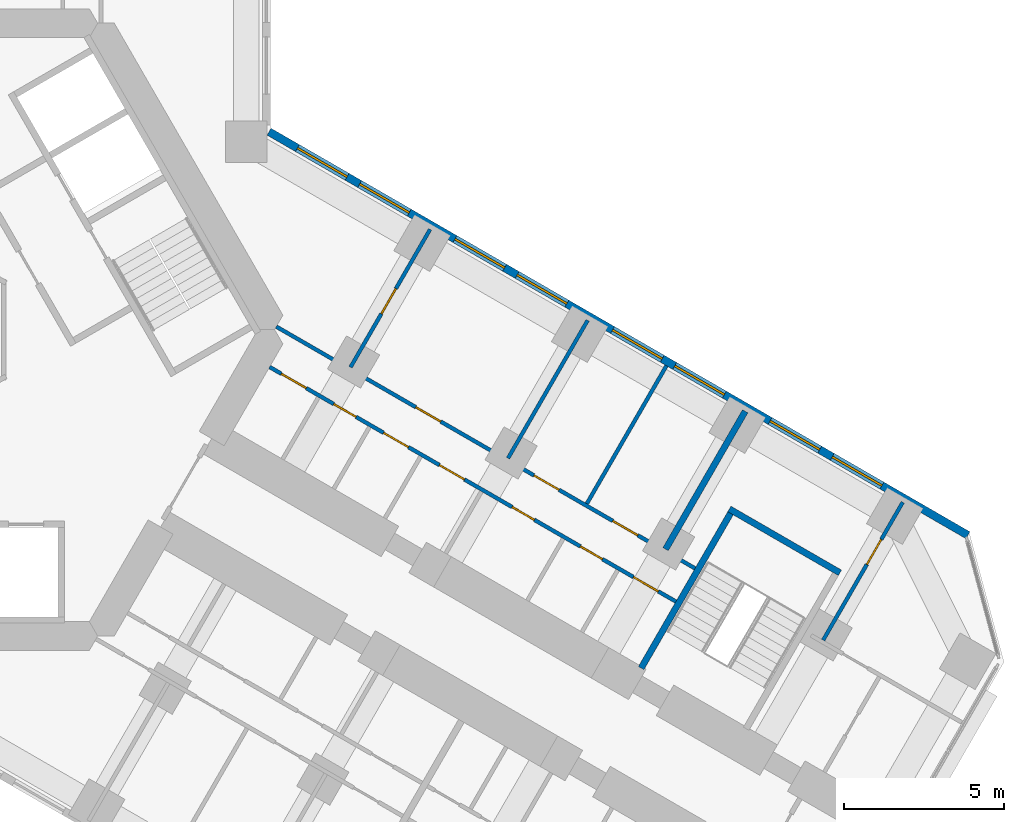
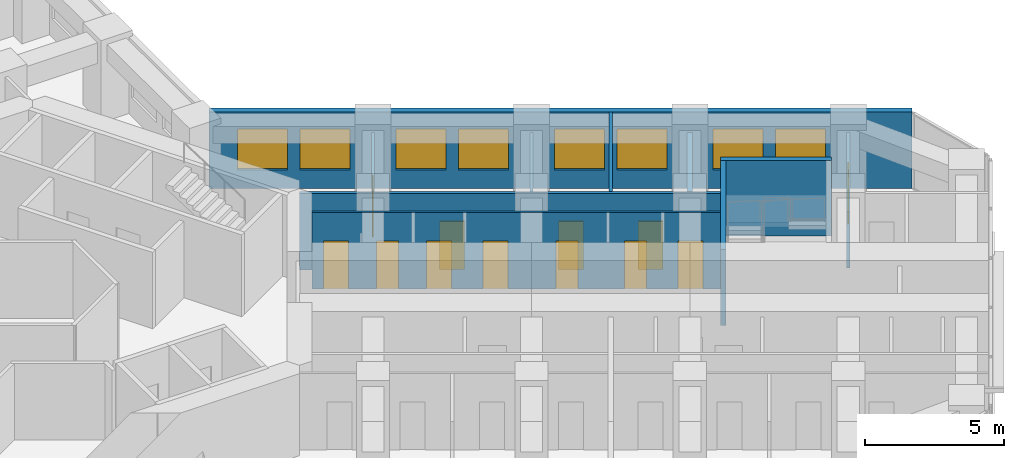
# One storey, part 16 of 19: 12 doors, 10 walls, 8 windows, 20 openings.
"""IFC4 building model written with IfcOpenShell, lengths in metres."""

from ifc_helpers import new_model, si_unit, direction, frame, frame_2d, origin, place, context, subcontext, project, spatial, rectangle, extrude, material, layer, layer_set, type_object, element, fill, save


model = new_model("IFC4")

# Units and contexts
model_context = context("Model", 3, precision=1e-05, world=origin(), true_north=direction((0.0, 1.0)))
body_context = subcontext(model_context, "Body", "Model", "MODEL_VIEW")
ifc_project = project(units=[si_unit("LENGTHUNIT", "METRE"), si_unit("AREAUNIT", "SQUARE_METRE"), si_unit("VOLUMEUNIT", "CUBIC_METRE"), si_unit("PLANEANGLEUNIT", "RADIAN"), si_unit("MASSUNIT", "GRAM", prefix="KILO")], contexts=[model_context])

# Site, building, storey
site_placement = place(None, origin())
site = spatial("IfcSite", under=ifc_project, at=site_placement, CompositionType="ELEMENT")
building_placement = place(site_placement, origin())
building = spatial("IfcBuilding", under=site, at=building_placement, Name="Kosmar Iwan School Tower", CompositionType="ELEMENT")
storey_placement = place(building_placement, frame((0.0, 0.0, 120.199951171875)))
storey = spatial("IfcBuildingStorey", under=building, at=storey_placement, Name="L29", CompositionType="ELEMENT", Elevation=120.199951171875)

# Wall, openings, doors
ifc_material_1 = material(Name="Gypsum board on steel studs", Category="steel")
ifc_layer_1 = layer(ifc_material_1, 0.1201171875)
ifc_layer_set_1 = layer_set([ifc_layer_1], Name="Dwelling partition 120")
wall_type_1 = type_object("IfcWallType", Name="Dwelling partition 120", PredefinedType="PARTITIONING", material=ifc_layer_set_1)
wall_1_placement = place(storey_placement, frame((10.928466796875, -1.171142578125, 0.0), z_axis=(0.0, 0.0, 1.0), x_axis=(0.866024898848, -0.500000874575, 0.0)))
wall_1 = element("IfcWall", 1, at=wall_1_placement, inside=storey, type_object=wall_type_1, Name="Partition L29-CL1-W1", PredefinedType="PARTITIONING", context=body_context, shape_type="SweptSolid", body=[
    extrude(rectangle(XDim=14.7001953125, YDim=0.1201171875, at=frame_2d((7.35009765625, 0.0))), origin(), (0.0, 0.0, 1.0), 3.35009765625),
])
opening_1_placement = place(wall_1_placement, frame((0.425048828125, 0.0, 0.0)))
opening_1 = element("IfcOpeningElement", 2, at=opening_1_placement, cuts=wall_1, Name="Opening D2", PredefinedType="OPENING", context=body_context, shape_type="SweptSolid", body=[
    extrude(rectangle(XDim=0.89990234375, YDim=2.10009765625, at=frame_2d((0.449951171875, 1.050048828125))), frame((0.0, 0.072021484375, 0.0), z_axis=(0.0, -1.0, 0.0), x_axis=(1.0, 0.0, 0.0)), (0.0, 0.0, 1.0), 0.14404296875),
])
opening_2_placement = place(wall_1_placement, frame((2.324951171875, 0.0, 0.0)))
opening_2 = element("IfcOpeningElement", 3, at=opening_2_placement, cuts=wall_1, Name="Opening D3", PredefinedType="OPENING", context=body_context, shape_type="SweptSolid", body=[
    extrude(rectangle(XDim=0.800048828125, YDim=2.10009765625, at=frame_2d((0.39990234375, 1.050048828125))), frame((0.0, 0.072021484375, 0.0), z_axis=(0.0, -1.0, 0.0), x_axis=(1.0, 0.0, 0.0)), (0.0, 0.0, 1.0), 0.14404296875),
])
opening_3_placement = place(wall_1_placement, frame((4.125, 0.0, 0.0)))
opening_3 = element("IfcOpeningElement", 4, at=opening_3_placement, cuts=wall_1, Name="Opening D2", PredefinedType="OPENING", context=body_context, shape_type="SweptSolid", body=[
    extrude(rectangle(XDim=0.89990234375, YDim=2.10009765625, at=frame_2d((0.449951171875, 1.050048828125))), frame((0.0, 0.072021484375, 0.0), z_axis=(0.0, -1.0, 0.0), x_axis=(1.0, 0.0, 0.0)), (0.0, 0.0, 1.0), 0.14404296875),
])
opening_4_placement = place(wall_1_placement, frame((6.14990234375, 0.0, 0.0)))
opening_4 = element("IfcOpeningElement", 5, at=opening_4_placement, cuts=wall_1, Name="Opening D2", PredefinedType="OPENING", context=body_context, shape_type="SweptSolid", body=[
    extrude(rectangle(XDim=0.89990234375, YDim=2.10009765625, at=frame_2d((0.449951171875, 1.050048828125))), frame((0.0, 0.072021484375, 0.0), z_axis=(0.0, -1.0, 0.0), x_axis=(1.0, 0.0, 0.0)), (0.0, 0.0, 1.0), 0.14404296875),
])
opening_5_placement = place(wall_1_placement, frame((8.778564453125, 0.0, 0.0)))
opening_5 = element("IfcOpeningElement", 6, at=opening_5_placement, cuts=wall_1, Name="Opening D3", PredefinedType="OPENING", context=body_context, shape_type="SweptSolid", body=[
    extrude(rectangle(XDim=0.800048828125, YDim=2.10009765625, at=frame_2d((0.39990234375, 1.050048828125))), frame((0.0, 0.072021484375, 0.0), z_axis=(0.0, -1.0, 0.0), x_axis=(1.0, 0.0, 0.0)), (0.0, 0.0, 1.0), 0.14404296875),
])
opening_6_placement = place(wall_1_placement, frame((11.242919921875, 0.0, 0.0)))
opening_6 = element("IfcOpeningElement", 7, at=opening_6_placement, cuts=wall_1, Name="Opening D3", PredefinedType="OPENING", context=body_context, shape_type="SweptSolid", body=[
    extrude(rectangle(XDim=0.800048828125, YDim=2.10009765625, at=frame_2d((0.39990234375, 1.050048828125))), frame((0.0, 0.072021484375, 0.0), z_axis=(0.0, -1.0, 0.0), x_axis=(1.0, 0.0, 0.0)), (0.0, 0.0, 1.0), 0.14404296875),
])
opening_7_placement = place(wall_1_placement, frame((13.164306640625, 0.0, 0.0)))
opening_7 = element("IfcOpeningElement", 8, at=opening_7_placement, cuts=wall_1, Name="Opening D2", PredefinedType="OPENING", context=body_context, shape_type="SweptSolid", body=[
    extrude(rectangle(XDim=0.89990234375, YDim=2.10009765625, at=frame_2d((0.449951171875, 1.050048828125))), frame((0.0, 0.072021484375, 0.0), z_axis=(0.0, -1.0, 0.0), x_axis=(1.0, 0.0, 0.0)), (0.0, 0.0, 1.0), 0.14404296875),
])
ifc_material_2 = material(Name="Timber door in timber frame", Category="wood")
door_type_1 = type_object("IfcDoorType", Name="Internal door 900x2100", OperationType="SINGLE_SWING_LEFT", PredefinedType="DOOR", material=ifc_material_2)
door_1_placement = place(opening_1_placement, origin())
door_1 = element("IfcDoor", 9, at=door_1_placement, inside=storey, type_object=door_type_1, Name="Dressing room door L29-CL1-S1", OperationType="SINGLE_SWING_LEFT", OverallHeight=2.10009765625, OverallWidth=0.89990234375, PredefinedType="DOOR", context=body_context, shape_type="SweptSolid", body=[
    extrude(rectangle(XDim=0.89990234375, YDim=2.10009765625, at=frame_2d((0.449951171875, 1.050048828125))), frame((0.0, 0.02490234375, 0.0), z_axis=(0.0, -1.0, 0.0), x_axis=(1.0, 0.0, 0.0)), (0.0, 0.0, 1.0), 0.050048828125),
])
fill(opening_1, door_1)
door_2_placement = place(opening_3_placement, origin())
door_2 = element("IfcDoor", 10, at=door_2_placement, inside=storey, type_object=door_type_1, Name="Pantry door L29-CL1-S3", OperationType="SINGLE_SWING_LEFT", OverallHeight=2.10009765625, OverallWidth=0.89990234375, PredefinedType="DOOR", context=body_context, shape_type="SweptSolid", body=[
    extrude(rectangle(XDim=0.89990234375, YDim=2.10009765625, at=frame_2d((0.449951171875, 1.050048828125))), frame((0.0, 0.02490234375, 0.0), z_axis=(0.0, -1.0, 0.0), x_axis=(1.0, 0.0, 0.0)), (0.0, 0.0, 1.0), 0.050048828125),
])
fill(opening_3, door_2)
door_3_placement = place(opening_4_placement, origin())
door_3 = element("IfcDoor", 11, at=door_3_placement, inside=storey, type_object=door_type_1, Name="Entrance hall door L29-CL1-S4", OperationType="SINGLE_SWING_LEFT", OverallHeight=2.10009765625, OverallWidth=0.89990234375, PredefinedType="DOOR", context=body_context, shape_type="SweptSolid", body=[
    extrude(rectangle(XDim=0.89990234375, YDim=2.10009765625, at=frame_2d((0.449951171875, 1.050048828125))), frame((0.0, 0.02490234375, 0.0), z_axis=(0.0, -1.0, 0.0), x_axis=(1.0, 0.0, 0.0)), (0.0, 0.0, 1.0), 0.050048828125),
])
fill(opening_4, door_3)
door_4_placement = place(opening_7_placement, frame((0.89990234375, 0.0, 0.0), z_axis=(0.0, 0.0, 1.0), x_axis=(-1.0, 0.0, 0.0)))
door_4 = element("IfcDoor", 12, at=door_4_placement, inside=storey, type_object=door_type_1, Name="Utility room door L29-CL1-S7", OperationType="SINGLE_SWING_LEFT", OverallHeight=2.10009765625, OverallWidth=0.89990234375, PredefinedType="DOOR", context=body_context, shape_type="SweptSolid", body=[
    extrude(rectangle(XDim=0.89990234375, YDim=2.10009765625, at=frame_2d((0.449951171875, 1.050048828125))), frame((0.0, 0.02490234375, 0.0), z_axis=(0.0, -1.0, 0.0), x_axis=(1.0, 0.0, 0.0)), (0.0, 0.0, 1.0), 0.050048828125),
])
fill(opening_7, door_4)
ifc_material_3 = material(Name="Timber door in timber frame", Category="wood")
door_type_2 = type_object("IfcDoorType", Name="Sanitary room door 800x2100", OperationType="SINGLE_SWING_LEFT", PredefinedType="DOOR", material=ifc_material_3)
door_5_placement = place(opening_2_placement, origin())
door_5 = element("IfcDoor", 13, at=door_5_placement, inside=storey, type_object=door_type_2, Name="Store door L29-CL1-S2", OperationType="SINGLE_SWING_LEFT", OverallHeight=2.10009765625, OverallWidth=0.800048828125, PredefinedType="DOOR", context=body_context, shape_type="SweptSolid", body=[
    extrude(rectangle(XDim=0.800048828125, YDim=2.10009765625, at=frame_2d((0.39990234375, 1.050048828125))), frame((0.0, 0.02490234375, 0.0), z_axis=(0.0, -1.0, 0.0), x_axis=(1.0, 0.0, 0.0)), (0.0, 0.0, 1.0), 0.050048828125),
])
fill(opening_2, door_5)
door_6_placement = place(opening_5_placement, origin())
door_6 = element("IfcDoor", 14, at=door_6_placement, inside=storey, type_object=door_type_2, Name="Bathroom door L29-CL1-S5", OperationType="SINGLE_SWING_RIGHT", OverallHeight=2.10009765625, OverallWidth=0.800048828125, PredefinedType="DOOR", context=body_context, shape_type="SweptSolid", body=[
    extrude(rectangle(XDim=0.800048828125, YDim=2.10009765625, at=frame_2d((0.39990234375, 1.050048828125))), frame((0.0, 0.02490234375, 0.0), z_axis=(0.0, -1.0, 0.0), x_axis=(1.0, 0.0, 0.0)), (0.0, 0.0, 1.0), 0.050048828125),
])
fill(opening_5, door_6)
door_7_placement = place(opening_6_placement, origin())
door_7 = element("IfcDoor", 15, at=door_7_placement, inside=storey, type_object=door_type_2, Name="WC door L29-CL1-S6", OperationType="SINGLE_SWING_RIGHT", OverallHeight=2.10009765625, OverallWidth=0.800048828125, PredefinedType="DOOR", context=body_context, shape_type="SweptSolid", body=[
    extrude(rectangle(XDim=0.800048828125, YDim=2.10009765625, at=frame_2d((0.39990234375, 1.050048828125))), frame((0.0, 0.02490234375, 0.0), z_axis=(0.0, -1.0, 0.0), x_axis=(1.0, 0.0, 0.0)), (0.0, 0.0, 1.0), 0.050048828125),
])
fill(opening_6, door_7)

wall_2_placement = place(storey_placement, frame((11.138916015625, 0.093017578125, 0.0), z_axis=(0.0, 0.0, 1.0), x_axis=(0.866024032363, -0.500002375365, 0.0)))
wall_2 = element("IfcWall", 16, at=wall_2_placement, inside=storey, type_object=wall_type_1, Name="Partition L29-CL1-W2", PredefinedType="PARTITIONING", context=body_context, shape_type="SweptSolid", body=[
    extrude(rectangle(XDim=15.14990234375, YDim=0.1201171875, at=frame_2d((7.574951171875, 0.0))), origin(), (0.0, 0.0, 1.0), 3.35009765625),
])
opening_8_placement = place(wall_2_placement, frame((5.050048828125, 0.0, 0.0)))
opening_8 = element("IfcOpeningElement", 17, at=opening_8_placement, cuts=wall_2, Name="Opening D2", PredefinedType="OPENING", context=body_context, shape_type="SweptSolid", body=[
    extrude(rectangle(XDim=0.89990234375, YDim=2.10009765625, at=frame_2d((0.449951171875, 1.050048828125))), frame((0.0, 0.072021484375, 0.0), z_axis=(0.0, -1.0, 0.0), x_axis=(1.0, 0.0, 0.0)), (0.0, 0.0, 1.0), 0.14404296875),
])
opening_9_placement = place(wall_2_placement, frame((9.324951171875, 0.0, 0.0)))
opening_9 = element("IfcOpeningElement", 18, at=opening_9_placement, cuts=wall_2, Name="Opening D2", PredefinedType="OPENING", context=body_context, shape_type="SweptSolid", body=[
    extrude(rectangle(XDim=0.89990234375, YDim=2.10009765625, at=frame_2d((0.449951171875, 1.050048828125))), frame((0.0, 0.072021484375, 0.0), z_axis=(0.0, -1.0, 0.0), x_axis=(1.0, 0.0, 0.0)), (0.0, 0.0, 1.0), 0.14404296875),
])
opening_10_placement = place(wall_2_placement, frame((12.175048828125, 0.0, 0.0)))
opening_10 = element("IfcOpeningElement", 19, at=opening_10_placement, cuts=wall_2, Name="Opening D2", PredefinedType="OPENING", context=body_context, shape_type="SweptSolid", body=[
    extrude(rectangle(XDim=0.89990234375, YDim=2.10009765625, at=frame_2d((0.449951171875, 1.050048828125))), frame((0.0, 0.072021484375, 0.0), z_axis=(0.0, -1.0, 0.0), x_axis=(1.0, 0.0, 0.0)), (0.0, 0.0, 1.0), 0.14404296875),
])
door_8_placement = place(opening_8_placement, origin())
door_8 = element("IfcDoor", 20, at=door_8_placement, inside=storey, type_object=door_type_1, Name="Living room door L29-CL1-F2", OperationType="SINGLE_SWING_RIGHT", OverallHeight=2.10009765625, OverallWidth=0.89990234375, PredefinedType="DOOR", context=body_context, shape_type="SweptSolid", body=[
    extrude(rectangle(XDim=0.89990234375, YDim=2.10009765625, at=frame_2d((0.449951171875, 1.050048828125))), frame((0.0, 0.02490234375, 0.0), z_axis=(0.0, -1.0, 0.0), x_axis=(1.0, 0.0, 0.0)), (0.0, 0.0, 1.0), 0.050048828125),
])
fill(opening_8, door_8)
door_9_placement = place(opening_9_placement, origin())
door_9 = element("IfcDoor", 21, at=door_9_placement, inside=storey, type_object=door_type_1, Name="Bedroom 1 door L29-CL1-F3", OperationType="SINGLE_SWING_LEFT", OverallHeight=2.10009765625, OverallWidth=0.89990234375, PredefinedType="DOOR", context=body_context, shape_type="SweptSolid", body=[
    extrude(rectangle(XDim=0.89990234375, YDim=2.10009765625, at=frame_2d((0.449951171875, 1.050048828125))), frame((0.0, 0.02490234375, 0.0), z_axis=(0.0, -1.0, 0.0), x_axis=(1.0, 0.0, 0.0)), (0.0, 0.0, 1.0), 0.050048828125),
])
fill(opening_9, door_9)
door_10_placement = place(opening_10_placement, origin())
door_10 = element("IfcDoor", 22, at=door_10_placement, inside=storey, type_object=door_type_1, Name="Study door L29-CL1-F4", OperationType="SINGLE_SWING_RIGHT", OverallHeight=2.10009765625, OverallWidth=0.89990234375, PredefinedType="DOOR", context=body_context, shape_type="SweptSolid", body=[
    extrude(rectangle(XDim=0.89990234375, YDim=2.10009765625, at=frame_2d((0.449951171875, 1.050048828125))), frame((0.0, 0.02490234375, 0.0), z_axis=(0.0, -1.0, 0.0), x_axis=(1.0, 0.0, 0.0)), (0.0, 0.0, 1.0), 0.050048828125),
])
fill(opening_10, door_10)

# Wall, opening, door
wall_3_placement = place(storey_placement, frame((13.4638671875, -1.179931640625, 0.0), z_axis=(0.0, 0.0, 1.0), x_axis=(0.499996339024, 0.86602751744, 0.0)))
wall_3 = element("IfcWall", 23, at=wall_3_placement, inside=storey, type_object=wall_type_1, Name="Partition L29-CL1-X1", PredefinedType="PARTITIONING", context=body_context, shape_type="SweptSolid", body=[
    extrude(rectangle(XDim=4.98974609375, YDim=0.1201171875, at=frame_2d((2.494873046875, 0.0))), origin(), (0.0, 0.0, 1.0), 2.449951171875),
])
opening_11_placement = place(wall_3_placement, frame((1.93994140625, 0.0, 0.0)))
opening_11 = element("IfcOpeningElement", 24, at=opening_11_placement, cuts=wall_3, Name="Opening D2", PredefinedType="OPENING", context=body_context, shape_type="SweptSolid", body=[
    extrude(rectangle(XDim=0.89990234375, YDim=2.10009765625, at=frame_2d((0.449951171875, 1.050048828125))), frame((0.0, 0.072021484375, 0.0), z_axis=(0.0, -1.0, 0.0), x_axis=(1.0, 0.0, 0.0)), (0.0, 0.0, 1.0), 0.14404296875),
])
door_11_placement = place(opening_11_placement, origin())
door_11 = element("IfcDoor", 25, at=door_11_placement, inside=storey, type_object=door_type_1, Name="Kitchen and dining room door L29-CL1-F1", OperationType="SINGLE_SWING_LEFT", OverallHeight=2.10009765625, OverallWidth=0.89990234375, PredefinedType="DOOR", context=body_context, shape_type="SweptSolid", body=[
    extrude(rectangle(XDim=0.89990234375, YDim=2.10009765625, at=frame_2d((0.449951171875, 1.050048828125))), frame((0.0, 0.02490234375, 0.0), z_axis=(0.0, -1.0, 0.0), x_axis=(1.0, 0.0, 0.0)), (0.0, 0.0, 1.0), 0.050048828125),
])
fill(opening_11, door_11)

# Walls
wall_4_placement = place(storey_placement, frame((18.400146484375, -4.030029296875, 0.0), z_axis=(0.0, 0.0, 1.0), x_axis=(0.500011847778, 0.866018563358, 0.0)))
element("IfcWall", 26, at=wall_4_placement, inside=storey, type_object=wall_type_1, Name="Partition L29-CL1-X2", PredefinedType="PARTITIONING", context=body_context, shape_type="SweptSolid", body=[
    extrude(rectangle(XDim=4.990234375, YDim=0.1201171875, at=frame_2d((2.4951171875, 0.0))), origin(), (0.0, 0.0, 1.0), 2.449951171875),
])
wall_5_placement = place(storey_placement, frame((20.868408203125, -5.455078125, 0.0), z_axis=(0.0, 0.0, 1.0), x_axis=(0.499975153383, 0.86603974851, 0.0)))
element("IfcWall", 27, at=wall_5_placement, inside=storey, type_object=wall_type_1, Name="Partition L29-CL1-X3", PredefinedType="PARTITIONING", context=body_context, shape_type="SweptSolid", body=[
    extrude(rectangle(XDim=4.989990234375, YDim=0.1201171875, at=frame_2d((2.4951171875, 0.0))), origin(), (0.0, 0.0, 1.0), 3.35009765625),
])

# Wall, opening, door
wall_6_placement = place(storey_placement, frame((28.27294921875, -9.72998046875, 0.0), z_axis=(0.0, 0.0, 1.0), x_axis=(0.499975153383, 0.86603974851, 0.0)))
wall_6 = element("IfcWall", 28, at=wall_6_placement, inside=storey, type_object=wall_type_1, Name="Partition L29-CL2-TX", PredefinedType="PARTITIONING", context=body_context, shape_type="SweptSolid", body=[
    extrude(rectangle(XDim=4.989990234375, YDim=0.1201171875, at=frame_2d((2.4951171875, 0.0))), origin(), (0.0, 0.0, 1.0), 2.449951171875),
])
opening_12_placement = place(wall_6_placement, frame((2.739990234375, 0.0, 0.0)))
opening_12 = element("IfcOpeningElement", 29, at=opening_12_placement, cuts=wall_6, Name="Opening D2", PredefinedType="OPENING", context=body_context, shape_type="SweptSolid", body=[
    extrude(rectangle(XDim=0.89990234375, YDim=2.10009765625, at=frame_2d((0.449951171875, 1.050048828125))), frame((0.0, 0.072021484375, 0.0), z_axis=(0.0, -1.0, 0.0), x_axis=(1.0, 0.0, 0.0)), (0.0, 0.0, 1.0), 0.14404296875),
])
door_12_placement = place(opening_12_placement, origin())
door_12 = element("IfcDoor", 30, at=door_12_placement, inside=storey, type_object=door_type_1, Name="Bedroom 1 door L29-CL2-T1", OperationType="SINGLE_SWING_RIGHT", OverallHeight=2.10009765625, OverallWidth=0.89990234375, PredefinedType="DOOR", context=body_context, shape_type="SweptSolid", body=[
    extrude(rectangle(XDim=0.89990234375, YDim=2.10009765625, at=frame_2d((0.449951171875, 1.050048828125))), frame((0.0, 0.02490234375, 0.0), z_axis=(0.0, -1.0, 0.0), x_axis=(1.0, 0.0, 0.0)), (0.0, 0.0, 1.0), 0.050048828125),
])
fill(opening_12, door_12)

# Walls
ifc_material_4 = material(Name="Concrete C35/45", Category="concrete")
ifc_layer_2 = layer(ifc_material_4, 0.199951171875)
ifc_layer_set_2 = layer_set([ifc_layer_2], Name="Escape stair wall 200")
wall_type_2 = type_object("IfcWallType", Name="Escape stair wall 200", PredefinedType="SHEAR", material=ifc_layer_set_2)
wall_7_placement = place(storey_placement, frame((22.57080078125, -10.6064453125, 0.0), z_axis=(0.0, 0.0, 1.0), x_axis=(0.499987231761, 0.866032775405, 0.0)))
element("IfcWall", 31, at=wall_7_placement, inside=storey, type_object=wall_type_2, Name="Stair WS3 wall", PredefinedType="SHEAR", context=body_context, shape_type="SweptSolid", body=[
    extrude(rectangle(XDim=5.800048828125, YDim=0.199951171875, at=frame_2d((2.89990234375, 0.0))), origin(), (0.0, 0.0, 1.0), 3.330078125),
])
wall_8_placement = place(storey_placement, frame((25.334228515625, -5.6201171875, 0.0), z_axis=(0.0, 0.0, 1.0), x_axis=(0.866026010844, -0.49999894854, 0.0)))
element("IfcWall", 32, at=wall_8_placement, inside=storey, type_object=wall_type_2, Name="Stair WS3 wall", PredefinedType="SHEAR", context=body_context, shape_type="SweptSolid", body=[
    extrude(rectangle(XDim=4.0, YDim=0.199951171875, at=frame_2d((2.0, 0.0))), origin(), (0.0, 0.0, 1.0), 3.330078125),
])

# Wall, openings, windows
ifc_material_5 = material(Name="Black aluminium rainscreen on insulated framing", Category="aluminium")
ifc_layer_3 = layer(ifc_material_5, 0.25)
ifc_layer_set_3 = layer_set([ifc_layer_3], Name="External wall rainscreen 250")
wall_type_3 = type_object("IfcWallType", Name="External wall rainscreen 250", PredefinedType="SOLIDWALL", material=ifc_layer_set_3)
wall_9_placement = place(storey_placement, frame((10.91259765625, 6.19921875, 0.0), z_axis=(0.0, 0.0, 1.0), x_axis=(0.866027685155, -0.49999604853, 0.0)))
wall_9 = element("IfcWall", 33, at=wall_9_placement, inside=storey, type_object=wall_type_3, Name="External wall CL L29", PredefinedType="SOLIDWALL", context=body_context, shape_type="SweptSolid", body=[
    extrude(rectangle(XDim=25.284423828125, YDim=0.25, at=frame_2d((12.64208984375, 0.0))), origin(), (0.0, 0.0, 1.0), 3.35009765625),
])
opening_13_placement = place(wall_9_placement, frame((1.024169921875, 0.0, 0.800048828125)))
opening_13 = element("IfcOpeningElement", 34, at=opening_13_placement, cuts=wall_9, Name="Opening W1", PredefinedType="OPENING", context=body_context, shape_type="SweptSolid", body=[
    extrude(rectangle(XDim=1.800048828125, YDim=1.800048828125, at=frame_2d((0.89990234375, 0.89990234375))), frame((0.0, 0.136962890625, 0.0), z_axis=(0.0, -1.0, 0.0), x_axis=(1.0, 0.0, 0.0)), (0.0, 0.0, 1.0), 0.27392578125),
])
opening_14_placement = place(wall_9_placement, frame((3.274169921875, 0.0, 0.800048828125)))
opening_14 = element("IfcOpeningElement", 35, at=opening_14_placement, cuts=wall_9, Name="Opening W1", PredefinedType="OPENING", context=body_context, shape_type="SweptSolid", body=[
    extrude(rectangle(XDim=1.800048828125, YDim=1.800048828125, at=frame_2d((0.89990234375, 0.89990234375))), frame((0.0, 0.136962890625, 0.0), z_axis=(0.0, -1.0, 0.0), x_axis=(1.0, 0.0, 0.0)), (0.0, 0.0, 1.0), 0.27392578125),
])
opening_15_placement = place(wall_9_placement, frame((6.72412109375, 0.0, 0.800048828125)))
opening_15 = element("IfcOpeningElement", 36, at=opening_15_placement, cuts=wall_9, Name="Opening W1", PredefinedType="OPENING", context=body_context, shape_type="SweptSolid", body=[
    extrude(rectangle(XDim=1.800048828125, YDim=1.800048828125, at=frame_2d((0.89990234375, 0.89990234375))), frame((0.0, 0.136962890625, 0.0), z_axis=(0.0, -1.0, 0.0), x_axis=(1.0, 0.0, 0.0)), (0.0, 0.0, 1.0), 0.27392578125),
])
opening_16_placement = place(wall_9_placement, frame((8.97412109375, 0.0, 0.800048828125)))
opening_16 = element("IfcOpeningElement", 37, at=opening_16_placement, cuts=wall_9, Name="Opening W1", PredefinedType="OPENING", context=body_context, shape_type="SweptSolid", body=[
    extrude(rectangle(XDim=1.800048828125, YDim=1.800048828125, at=frame_2d((0.89990234375, 0.89990234375))), frame((0.0, 0.136962890625, 0.0), z_axis=(0.0, -1.0, 0.0), x_axis=(1.0, 0.0, 0.0)), (0.0, 0.0, 1.0), 0.27392578125),
])
opening_17_placement = place(wall_9_placement, frame((12.424072265625, 0.0, 0.800048828125)))
opening_17 = element("IfcOpeningElement", 38, at=opening_17_placement, cuts=wall_9, Name="Opening W1", PredefinedType="OPENING", context=body_context, shape_type="SweptSolid", body=[
    extrude(rectangle(XDim=1.800048828125, YDim=1.800048828125, at=frame_2d((0.89990234375, 0.89990234375))), frame((0.0, 0.136962890625, 0.0), z_axis=(0.0, -1.0, 0.0), x_axis=(1.0, 0.0, 0.0)), (0.0, 0.0, 1.0), 0.27392578125),
])
opening_18_placement = place(wall_9_placement, frame((14.674072265625, 0.0, 0.800048828125)))
opening_18 = element("IfcOpeningElement", 39, at=opening_18_placement, cuts=wall_9, Name="Opening W1", PredefinedType="OPENING", context=body_context, shape_type="SweptSolid", body=[
    extrude(rectangle(XDim=1.800048828125, YDim=1.800048828125, at=frame_2d((0.89990234375, 0.89990234375))), frame((0.0, 0.136962890625, 0.0), z_axis=(0.0, -1.0, 0.0), x_axis=(1.0, 0.0, 0.0)), (0.0, 0.0, 1.0), 0.27392578125),
])
opening_19_placement = place(wall_9_placement, frame((18.124267578125, 0.0, 0.800048828125)))
opening_19 = element("IfcOpeningElement", 40, at=opening_19_placement, cuts=wall_9, Name="Opening W1", PredefinedType="OPENING", context=body_context, shape_type="SweptSolid", body=[
    extrude(rectangle(XDim=1.800048828125, YDim=1.800048828125, at=frame_2d((0.89990234375, 0.89990234375))), frame((0.0, 0.136962890625, 0.0), z_axis=(0.0, -1.0, 0.0), x_axis=(1.0, 0.0, 0.0)), (0.0, 0.0, 1.0), 0.27392578125),
])
opening_20_placement = place(wall_9_placement, frame((20.374267578125, 0.0, 0.800048828125)))
opening_20 = element("IfcOpeningElement", 41, at=opening_20_placement, cuts=wall_9, Name="Opening W1", PredefinedType="OPENING", context=body_context, shape_type="SweptSolid", body=[
    extrude(rectangle(XDim=1.800048828125, YDim=1.800048828125, at=frame_2d((0.89990234375, 0.89990234375))), frame((0.0, 0.136962890625, 0.0), z_axis=(0.0, -1.0, 0.0), x_axis=(1.0, 0.0, 0.0)), (0.0, 0.0, 1.0), 0.27392578125),
])
ifc_material_6 = material(Name="Black aluminium frame with dark triple glazing", Category="aluminium")
window_type = type_object("IfcWindowType", Name="Window 1800x1800", PartitioningType="SINGLE_PANEL", PredefinedType="WINDOW", material=ifc_material_6)
window_1_placement = place(opening_13_placement, origin())
window_1 = element("IfcWindow", 42, at=window_1_placement, inside=storey, type_object=window_type, Name="Window CL L29 -1", OverallHeight=1.800048828125, OverallWidth=1.800048828125, PartitioningType="SINGLE_PANEL", PredefinedType="WINDOW", context=body_context, shape_type="SweptSolid", body=[
    extrude(rectangle(XDim=1.800048828125, YDim=1.800048828125, at=frame_2d((0.89990234375, 0.89990234375))), frame((0.0, 0.030029296875, 0.0), z_axis=(0.0, -1.0, 0.0), x_axis=(1.0, 0.0, 0.0)), (0.0, 0.0, 1.0), 0.06005859375),
])
fill(opening_13, window_1)
window_2_placement = place(opening_14_placement, origin())
window_2 = element("IfcWindow", 43, at=window_2_placement, inside=storey, type_object=window_type, Name="Window CL L29 0", OverallHeight=1.800048828125, OverallWidth=1.800048828125, PartitioningType="SINGLE_PANEL", PredefinedType="WINDOW", context=body_context, shape_type="SweptSolid", body=[
    extrude(rectangle(XDim=1.800048828125, YDim=1.800048828125, at=frame_2d((0.89990234375, 0.89990234375))), frame((0.0, 0.030029296875, 0.0), z_axis=(0.0, -1.0, 0.0), x_axis=(1.0, 0.0, 0.0)), (0.0, 0.0, 1.0), 0.06005859375),
])
fill(opening_14, window_2)
window_3_placement = place(opening_15_placement, origin())
window_3 = element("IfcWindow", 44, at=window_3_placement, inside=storey, type_object=window_type, Name="Window CL L29 1", OverallHeight=1.800048828125, OverallWidth=1.800048828125, PartitioningType="SINGLE_PANEL", PredefinedType="WINDOW", context=body_context, shape_type="SweptSolid", body=[
    extrude(rectangle(XDim=1.800048828125, YDim=1.800048828125, at=frame_2d((0.89990234375, 0.89990234375))), frame((0.0, 0.030029296875, 0.0), z_axis=(0.0, -1.0, 0.0), x_axis=(1.0, 0.0, 0.0)), (0.0, 0.0, 1.0), 0.06005859375),
])
fill(opening_15, window_3)
window_4_placement = place(opening_16_placement, origin())
window_4 = element("IfcWindow", 45, at=window_4_placement, inside=storey, type_object=window_type, Name="Window CL L29 2", OverallHeight=1.800048828125, OverallWidth=1.800048828125, PartitioningType="SINGLE_PANEL", PredefinedType="WINDOW", context=body_context, shape_type="SweptSolid", body=[
    extrude(rectangle(XDim=1.800048828125, YDim=1.800048828125, at=frame_2d((0.89990234375, 0.89990234375))), frame((0.0, 0.030029296875, 0.0), z_axis=(0.0, -1.0, 0.0), x_axis=(1.0, 0.0, 0.0)), (0.0, 0.0, 1.0), 0.06005859375),
])
fill(opening_16, window_4)
window_5_placement = place(opening_17_placement, origin())
window_5 = element("IfcWindow", 46, at=window_5_placement, inside=storey, type_object=window_type, Name="Window CL L29 3", OverallHeight=1.800048828125, OverallWidth=1.800048828125, PartitioningType="SINGLE_PANEL", PredefinedType="WINDOW", context=body_context, shape_type="SweptSolid", body=[
    extrude(rectangle(XDim=1.800048828125, YDim=1.800048828125, at=frame_2d((0.89990234375, 0.89990234375))), frame((0.0, 0.030029296875, 0.0), z_axis=(0.0, -1.0, 0.0), x_axis=(1.0, 0.0, 0.0)), (0.0, 0.0, 1.0), 0.06005859375),
])
fill(opening_17, window_5)
window_6_placement = place(opening_18_placement, origin())
window_6 = element("IfcWindow", 47, at=window_6_placement, inside=storey, type_object=window_type, Name="Window CL L29 4", OverallHeight=1.800048828125, OverallWidth=1.800048828125, PartitioningType="SINGLE_PANEL", PredefinedType="WINDOW", context=body_context, shape_type="SweptSolid", body=[
    extrude(rectangle(XDim=1.800048828125, YDim=1.800048828125, at=frame_2d((0.89990234375, 0.89990234375))), frame((0.0, 0.030029296875, 0.0), z_axis=(0.0, -1.0, 0.0), x_axis=(1.0, 0.0, 0.0)), (0.0, 0.0, 1.0), 0.06005859375),
])
fill(opening_18, window_6)
window_7_placement = place(opening_19_placement, origin())
window_7 = element("IfcWindow", 48, at=window_7_placement, inside=storey, type_object=window_type, Name="Window CL L29 5", OverallHeight=1.800048828125, OverallWidth=1.800048828125, PartitioningType="SINGLE_PANEL", PredefinedType="WINDOW", context=body_context, shape_type="SweptSolid", body=[
    extrude(rectangle(XDim=1.800048828125, YDim=1.800048828125, at=frame_2d((0.89990234375, 0.89990234375))), frame((0.0, 0.030029296875, 0.0), z_axis=(0.0, -1.0, 0.0), x_axis=(1.0, 0.0, 0.0)), (0.0, 0.0, 1.0), 0.06005859375),
])
fill(opening_19, window_7)
window_8_placement = place(opening_20_placement, origin())
window_8 = element("IfcWindow", 49, at=window_8_placement, inside=storey, type_object=window_type, Name="Window CL L29 6", OverallHeight=1.800048828125, OverallWidth=1.800048828125, PartitioningType="SINGLE_PANEL", PredefinedType="WINDOW", context=body_context, shape_type="SweptSolid", body=[
    extrude(rectangle(XDim=1.800048828125, YDim=1.800048828125, at=frame_2d((0.89990234375, 0.89990234375))), frame((0.0, 0.030029296875, 0.0), z_axis=(0.0, -1.0, 0.0), x_axis=(1.0, 0.0, 0.0)), (0.0, 0.0, 1.0), 0.06005859375),
])
fill(opening_20, window_8)

# Wall
ifc_material_7 = material(Name="Concrete block masonry", Category="masonry")
ifc_layer_4 = layer(ifc_material_7, 0.199951171875)
ifc_layer_set_4 = layer_set([ifc_layer_4], Name="Party wall 200")
wall_type_4 = type_object("IfcWallType", Name="Party wall 200", PredefinedType="PARTITIONING", material=ifc_layer_set_4)
wall_10_placement = place(storey_placement, frame((23.33642578125, -6.8798828125, 0.0), z_axis=(0.0, 0.0, 1.0), x_axis=(0.500033033937, 0.866006330792, 0.0)))
element("IfcWall", 50, at=wall_10_placement, inside=storey, type_object=wall_type_4, Name="Partition L29-CL2-TB", PredefinedType="PARTITIONING", context=body_context, shape_type="SweptSolid", body=[
    extrude(rectangle(XDim=4.989990234375, YDim=0.199951171875, at=frame_2d((2.4951171875, 0.0))), origin(), (0.0, 0.0, 1.0), 2.449951171875),
])

save(model, "model.ifc")
